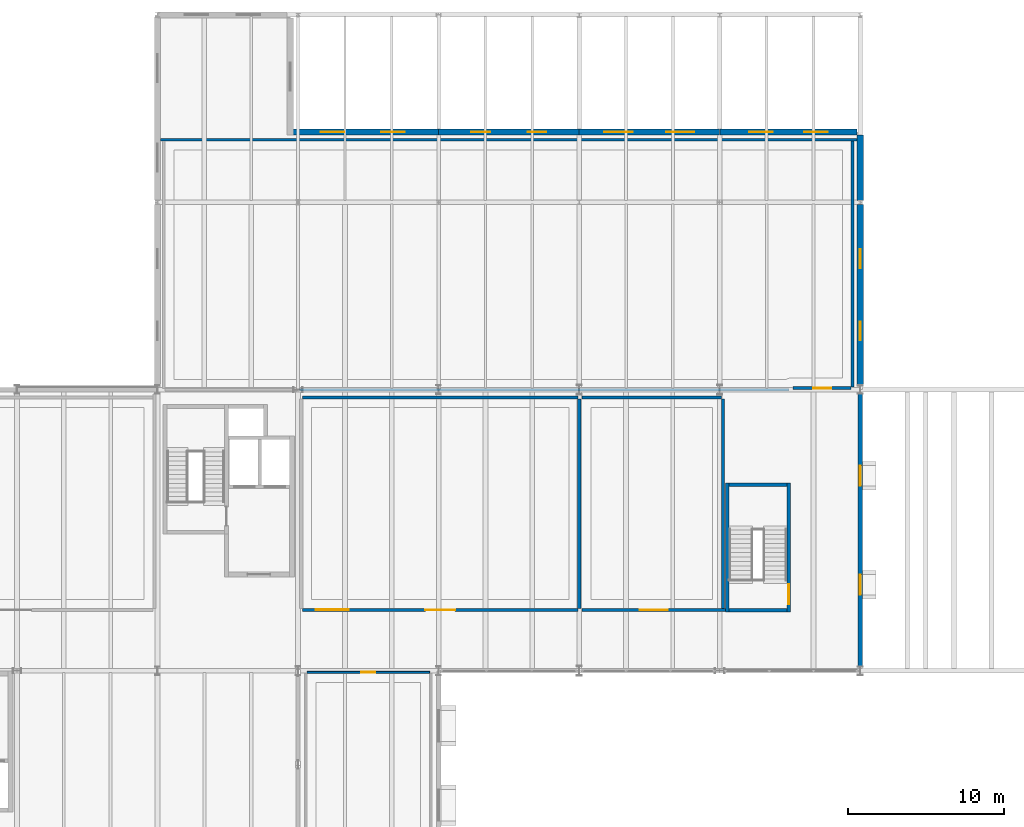
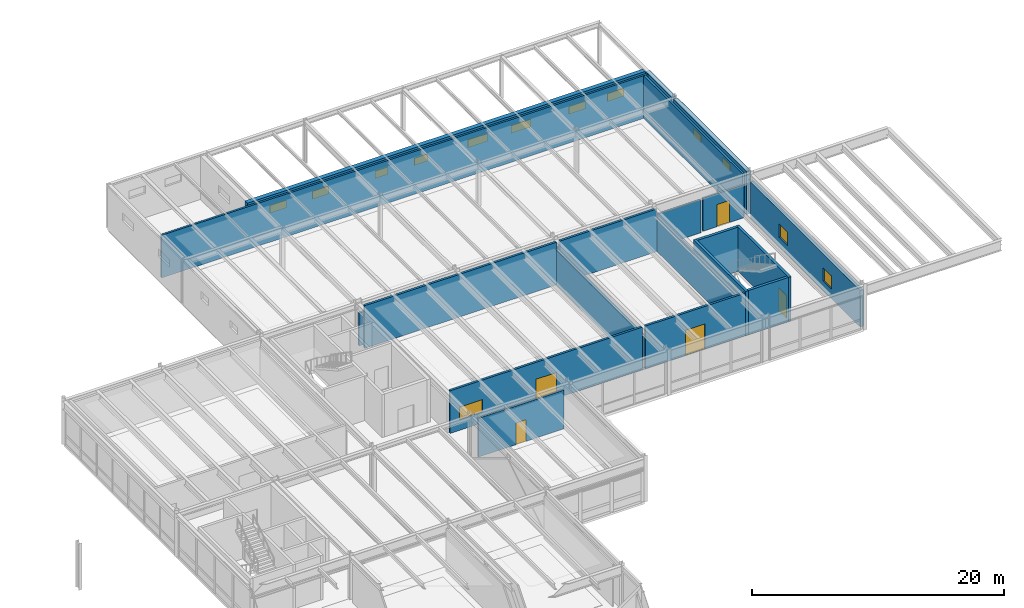
# One storey, part 117 of 127: 22 walls, 13 windows, 5 doors, 18 openings.
"""IFC4 building model written with IfcOpenShell, lengths in metres."""

from ifc_helpers import new_model, si_unit, direction, frame, frame_2d, origin, place, context, subcontext, project, spatial, rectangle, extrude, material, layer, layer_set, type_object, element, fill, save


model = new_model("IFC4")

# Units and contexts
model_context = context("Model", 3, precision=1e-05, world=origin(), true_north=direction((0.0, 1.0)))
body_context = subcontext(model_context, "Body", "Model", "MODEL_VIEW")
ifc_project = project(units=[si_unit("LENGTHUNIT", "METRE"), si_unit("AREAUNIT", "SQUARE_METRE"), si_unit("VOLUMEUNIT", "CUBIC_METRE"), si_unit("PLANEANGLEUNIT", "RADIAN"), si_unit("MASSUNIT", "GRAM", prefix="KILO")], contexts=[model_context])

# Site, building, storey
site_placement = place(None, origin())
site = spatial("IfcSite", under=ifc_project, at=site_placement, CompositionType="ELEMENT")
building_placement = place(site_placement, origin())
building = spatial("IfcBuilding", under=site, at=building_placement, Name="Montelvaro Courts of Justice", CompositionType="ELEMENT")
storey_placement = place(building_placement, frame((0.0, 0.0, 5.39990234375)))
storey = spatial("IfcBuildingStorey", under=building, at=storey_placement, Name="L01", CompositionType="ELEMENT", Elevation=5.39990234375)

# Walls
ifc_material_1 = material(Name="Fire-rated gypsum and steel stud", Category="steel")
ifc_layer_1 = layer(ifc_material_1, 0.179931640625)
ifc_layer_set_1 = layer_set([ifc_layer_1], Name="Fire-rated gypsum and steel stud")
wall_type_1 = type_object("IfcWallType", Name="CorridorFireWall_180", PredefinedType="PARTITIONING", material=ifc_layer_set_1)
wall_1_placement = place(storey_placement, frame((157.419921875, 96.0, 0.0), z_axis=(0.0, 0.0, 1.0), x_axis=(-1.0, 0.0, 0.0)))
element("IfcWall", 1, at=wall_1_placement, inside=storey, type_object=wall_type_1, Name="Interior Partition IW-02 (L01)", PredefinedType="PARTITIONING", context=body_context, shape_type="SweptSolid", body=[
    extrude(rectangle(XDim=31.33984375, YDim=0.179931640625, at=frame_2d((15.669921875, 0.0))), origin(), (0.0, 0.0, 1.0), 3.18701171875),
])
wall_2_placement = place(storey_placement, frame((117.195068359375, 112.0, 0.0), z_axis=(0.0, 0.0, 1.0), x_axis=(1.0, 0.0, 0.0)))
element("IfcWall", 2, at=wall_2_placement, inside=storey, type_object=wall_type_1, Name="Interior Partition IW-02 (L01)", PredefinedType="PARTITIONING", context=body_context, shape_type="SweptSolid", body=[
    extrude(rectangle(XDim=44.60986328125, YDim=0.179931640625, at=frame_2d((22.304931640625, 0.0))), origin(), (0.0, 0.0, 1.0), 4.14013671875),
])
wall_3_placement = place(storey_placement, frame((161.5, 111.919921875, 0.0), z_axis=(0.0, 0.0, 1.0), x_axis=(0.0, -1.0, 0.0)))
element("IfcWall", 3, at=wall_3_placement, inside=storey, type_object=wall_type_1, Name="Interior Partition IW-02 (L01)", PredefinedType="PARTITIONING", context=body_context, shape_type="SweptSolid", body=[
    extrude(rectangle(XDim=15.739990234375, YDim=0.179931640625, at=frame_2d((7.8701171875, 0.0))), origin(), (0.0, 0.0, 1.0), 4.14013671875),
])

# Wall, opening, door
wall_4_placement = place(storey_placement, frame((161.419921875, 96.10009765625, 0.0), z_axis=(0.0, 0.0, 1.0), x_axis=(-1.0, 0.0, 0.0)))
wall_4 = element("IfcWall", 4, at=wall_4_placement, inside=storey, type_object=wall_type_1, Name="Interior Partition IW-02 (L01)", PredefinedType="PARTITIONING", context=body_context, shape_type="SweptSolid", body=[
    extrude(rectangle(XDim=3.739990234375, YDim=0.179931640625, at=frame_2d((1.8701171875, 0.0))), origin(), (0.0, 0.0, 1.0), 3.18701171875),
])
opening_1_placement = place(wall_4_placement, frame((1.294921875, 0.0, 0.0)))
opening_1 = element("IfcOpeningElement", 5, at=opening_1_placement, cuts=wall_4, Name="Opening D-L01-082", PredefinedType="OPENING", context=body_context, shape_type="SweptSolid", body=[
    extrude(rectangle(XDim=1.14990234375, YDim=2.14990234375, at=frame_2d((0.574951171875, 1.074951171875))), frame((0.0, 0.10498046875, 0.0), z_axis=(0.0, -1.0, 0.0), x_axis=(1.0, 0.0, 0.0)), (0.0, 0.0, 1.0), 0.209716796875),
])
ifc_material_2 = material(Name="Galvanised steel S355 security door", Category="steel")
door_type_1 = type_object("IfcDoorType", Name="CustodyDoor_115x215", OperationType="NOTDEFINED", PredefinedType="DOOR", material=ifc_material_2)
door_1_placement = place(opening_1_placement, origin())
door_1 = element("IfcDoor", 6, at=door_1_placement, inside=storey, type_object=door_type_1, Name="Interior Door D-L01-082 (Upper Custody Interview and Holding Suite)", OperationType="SINGLE_SWING_LEFT", OverallHeight=2.14990234375, OverallWidth=1.14990234375, PredefinedType="DOOR", context=body_context, shape_type="SweptSolid", body=[
    extrude(rectangle(XDim=1.14990234375, YDim=2.14990234375, at=frame_2d((0.574951171875, 1.074951171875))), frame((0.0, 0.02490234375, 0.0), z_axis=(0.0, -1.0, 0.0), x_axis=(1.0, 0.0, 0.0)), (0.0, 0.0, 1.0), 0.050048828125),
])
fill(opening_1, door_1)

# Wall, openings, door, window
ifc_material_3 = material(Name="Gypsum acoustic double stud with mineral wool")
ifc_layer_2 = layer(ifc_material_3, 0.199951171875)
ifc_layer_set_2 = layer_set([ifc_layer_2], Name="Gypsum acoustic double stud with mineral wool")
wall_type_2 = type_object("IfcWallType", Name="CourtAcousticWall_200", PredefinedType="PARTITIONING", material=ifc_layer_set_2)
wall_5_placement = place(storey_placement, frame((143.919921875, 81.89990234375, 0.0), z_axis=(0.0, 0.0, 1.0), x_axis=(-1.0, 0.0, 0.0)))
wall_5 = element("IfcWall", 7, at=wall_5_placement, inside=storey, type_object=wall_type_2, Name="Interior Partition IW-01 (L01)", PredefinedType="PARTITIONING", context=body_context, shape_type="SweptSolid", body=[
    extrude(rectangle(XDim=17.639892578125, YDim=0.199951171875, at=frame_2d((8.81982421875, 0.0))), origin(), (0.0, 0.0, 1.0), 4.14013671875),
])
opening_2_placement = place(wall_5_placement, frame((7.8701171875, 0.0, 0.0)))
opening_2 = element("IfcOpeningElement", 8, at=opening_2_placement, cuts=wall_5, Name="Opening D-L01-061", PredefinedType="OPENING", context=body_context, shape_type="SweptSolid", body=[
    extrude(rectangle(XDim=1.89990234375, YDim=2.5, at=frame_2d((0.949951171875, 1.25))), frame((0.0, 0.11474609375, 0.0), z_axis=(0.0, -1.0, 0.0), x_axis=(1.0, 0.0, 0.0)), (0.0, 0.0, 1.0), 0.229736328125),
])
opening_3_placement = place(wall_5_placement, frame((14.68994140625, 0.0, 1.050048828125)))
opening_3 = element("IfcOpeningElement", 9, at=opening_3_placement, cuts=wall_5, Name="Opening WI-04", PredefinedType="OPENING", context=body_context, shape_type="SweptSolid", body=[
    extrude(rectangle(XDim=2.10009765625, YDim=1.199951171875, at=frame_2d((1.050048828125, 0.60009765625))), frame((0.0, 0.11474609375, 0.0), z_axis=(0.0, -1.0, 0.0), x_axis=(1.0, 0.0, 0.0)), (0.0, 0.0, 1.0), 0.229736328125),
])
ifc_material_4 = material(Name="Acoustic oak timber veneer", Category="wood")
door_type_2 = type_object("IfcDoorType", Name="CourtDoor_190x250", OperationType="DOUBLE_DOOR_SINGLE_SWING", PredefinedType="DOOR", material=ifc_material_4)
door_2_placement = place(opening_2_placement, frame((1.89990234375, 0.0, 0.0), z_axis=(0.0, 0.0, 1.0), x_axis=(-1.0, 0.0, 0.0)))
door_2 = element("IfcDoor", 10, at=door_2_placement, inside=storey, type_object=door_type_2, Name="Interior Door D-L01-061 (Penal Courtroom 05)", OperationType="DOUBLE_DOOR_SINGLE_SWING", OverallHeight=2.5, OverallWidth=1.89990234375, PredefinedType="DOOR", context=body_context, shape_type="SweptSolid", body=[
    extrude(rectangle(XDim=1.89990234375, YDim=2.5, at=frame_2d((0.949951171875, 1.25))), frame((0.0, 0.02490234375, 0.0), z_axis=(0.0, -1.0, 0.0), x_axis=(1.0, 0.0, 0.0)), (0.0, 0.0, 1.0), 0.050048828125),
])
fill(opening_2, door_2)
ifc_material_5 = material(Name="Acoustic laminated double glazing", Category="glass")
window_type_1 = type_object("IfcWindowType", Name="IntVision_210x120", PartitioningType="SINGLE_PANEL", PredefinedType="WINDOW", material=ifc_material_5)
window_1_placement = place(opening_3_placement, origin())
window_1 = element("IfcWindow", 11, at=window_1_placement, inside=storey, type_object=window_type_1, Name="Interior Vision Panel WI-032", OverallHeight=1.199951171875, OverallWidth=2.10009765625, PartitioningType="SINGLE_PANEL", PredefinedType="WINDOW", context=body_context, shape_type="SweptSolid", body=[
    extrude(rectangle(XDim=2.10009765625, YDim=1.199951171875, at=frame_2d((1.050048828125, 0.60009765625))), frame((0.0, 0.030029296875, 0.0), z_axis=(0.0, -1.0, 0.0), x_axis=(1.0, 0.0, 0.0)), (0.0, 0.0, 1.0), 0.06005859375),
])
fill(opening_3, window_1)

# Walls
wall_6_placement = place(storey_placement, frame((126.280029296875, 95.5, 0.0), z_axis=(0.0, 0.0, 1.0), x_axis=(1.0, 0.0, 0.0)))
element("IfcWall", 12, at=wall_6_placement, inside=storey, type_object=wall_type_2, Name="Interior Partition IW-01 (L01)", PredefinedType="PARTITIONING", context=body_context, shape_type="SweptSolid", body=[
    extrude(rectangle(XDim=17.639892578125, YDim=0.199951171875, at=frame_2d((8.81982421875, 0.0))), origin(), (0.0, 0.0, 1.0), 4.14013671875),
])
wall_7_placement = place(storey_placement, frame((144.0, 95.419921875, 0.0), z_axis=(0.0, 0.0, 1.0), x_axis=(0.0, -1.0, 0.0)))
element("IfcWall", 13, at=wall_7_placement, inside=storey, type_object=wall_type_2, Name="Interior Partition IW-01 (L01)", PredefinedType="PARTITIONING", context=body_context, shape_type="SweptSolid", body=[
    extrude(rectangle(XDim=13.43994140625, YDim=0.199951171875, at=frame_2d((6.719970703125, 0.0))), origin(), (0.0, 0.0, 1.0), 3.405029296875),
])
wall_8_placement = place(storey_placement, frame((144.179931640625, 95.5, 0.0), z_axis=(0.0, 0.0, 1.0), x_axis=(1.0, 0.0, 0.0)))
element("IfcWall", 14, at=wall_8_placement, inside=storey, type_object=wall_type_2, Name="Interior Partition IW-01 (L01)", PredefinedType="PARTITIONING", context=body_context, shape_type="SweptSolid", body=[
    extrude(rectangle(XDim=8.940185546875, YDim=0.199951171875, at=frame_2d((4.47021484375, 0.0))), origin(), (0.0, 0.0, 1.0), 4.14013671875),
])
wall_9_placement = place(storey_placement, frame((153.199951171875, 95.419921875, 0.0), z_axis=(0.0, 0.0, 1.0), x_axis=(0.0, -1.0, 0.0)))
element("IfcWall", 15, at=wall_9_placement, inside=storey, type_object=wall_type_2, Name="Interior Partition IW-01 (L01)", PredefinedType="PARTITIONING", context=body_context, shape_type="SweptSolid", body=[
    extrude(rectangle(XDim=13.43994140625, YDim=0.199951171875, at=frame_2d((6.719970703125, 0.0))), origin(), (0.0, 0.0, 1.0), 3.39501953125),
])

# Wall, opening, door
wall_10_placement = place(storey_placement, frame((153.364990234375, 81.89990234375, 0.0), z_axis=(0.0, 0.0, 1.0), x_axis=(-1.0, 0.0, 0.0)))
wall_10 = element("IfcWall", 16, at=wall_10_placement, inside=storey, type_object=wall_type_2, Name="Interior Partition IW-01 (L01)", PredefinedType="PARTITIONING", context=body_context, shape_type="SweptSolid", body=[
    extrude(rectangle(XDim=9.18505859375, YDim=0.199951171875, at=frame_2d((4.592529296875, 0.0))), origin(), (0.0, 0.0, 1.0), 4.14013671875),
])
opening_4_placement = place(wall_10_placement, frame((3.693115234375, 0.0, 0.0)))
opening_4 = element("IfcOpeningElement", 17, at=opening_4_placement, cuts=wall_10, Name="Opening D-L01-062", PredefinedType="OPENING", context=body_context, shape_type="SweptSolid", body=[
    extrude(rectangle(XDim=1.800048828125, YDim=2.449951171875, at=frame_2d((0.89990234375, 1.22509765625))), frame((0.0, 0.11474609375, 0.0), z_axis=(0.0, -1.0, 0.0), x_axis=(1.0, 0.0, 0.0)), (0.0, 0.0, 1.0), 0.229736328125),
])
door_type_3 = type_object("IfcDoorType", Name="CourtDoor_180x245", OperationType="DOUBLE_DOOR_SINGLE_SWING", PredefinedType="DOOR", material=ifc_material_4)
door_3_placement = place(opening_4_placement, origin())
door_3 = element("IfcDoor", 18, at=door_3_placement, inside=storey, type_object=door_type_3, Name="Interior Door D-L01-062 (Penal Courtroom 06)", OperationType="DOUBLE_DOOR_SINGLE_SWING", OverallHeight=2.449951171875, OverallWidth=1.800048828125, PredefinedType="DOOR", context=body_context, shape_type="SweptSolid", body=[
    extrude(rectangle(XDim=1.800048828125, YDim=2.449951171875, at=frame_2d((0.89990234375, 1.22509765625))), frame((0.0, 0.02490234375, 0.0), z_axis=(0.0, -1.0, 0.0), x_axis=(1.0, 0.0, 0.0)), (0.0, 0.0, 1.0), 0.050048828125),
])
fill(opening_4, door_3)

# Wall, openings, windows
ifc_material_6 = material(Name="Concrete C40/50", Category="concrete")
ifc_layer_3 = layer(ifc_material_6, 0.39990234375)
ifc_layer_set_3 = layer_set([ifc_layer_3], Name="Concrete C40/50")
wall_type_3 = type_object("IfcWallType", Name="ExtWall_Custody_400", PredefinedType="SOLIDWALL", material=ifc_layer_set_3)
wall_11_placement = place(storey_placement, frame((162.0, 96.27294921875, 0.0), z_axis=(0.0, 0.0, 1.0), x_axis=(0.0, 1.0, 0.0)))
wall_11 = element("IfcWall", 19, at=wall_11_placement, inside=storey, type_object=wall_type_3, Name="Exterior Facade Wall EW-04 (L01)", PredefinedType="SOLIDWALL", context=body_context, shape_type="SweptSolid", body=[
    extrude(rectangle(XDim=11.59912109375, YDim=0.39990234375, at=frame_2d((5.799560546875, 0.0))), origin(), (0.0, 0.0, 1.0), 4.18017578125),
])
opening_5_placement = place(wall_11_placement, frame((2.8798828125, 0.0, 2.35009765625)))
opening_5 = element("IfcOpeningElement", 20, at=opening_5_placement, cuts=wall_11, Name="Opening WE-30", PredefinedType="OPENING", context=body_context, shape_type="SweptSolid", body=[
    extrude(rectangle(XDim=1.199951171875, YDim=0.699951171875, at=frame_2d((0.60009765625, 0.35009765625))), frame((0.0, 0.21484375, 0.0), z_axis=(0.0, -1.0, 0.0), x_axis=(1.0, 0.0, 0.0)), (0.0, 0.0, 1.0), 0.4296875),
])
opening_6_placement = place(wall_11_placement, frame((7.51904296875, 0.0, 2.35009765625)))
opening_6 = element("IfcOpeningElement", 21, at=opening_6_placement, cuts=wall_11, Name="Opening WE-30", PredefinedType="OPENING", context=body_context, shape_type="SweptSolid", body=[
    extrude(rectangle(XDim=1.199951171875, YDim=0.699951171875, at=frame_2d((0.60009765625, 0.35009765625))), frame((0.0, 0.21484375, 0.0), z_axis=(0.0, -1.0, 0.0), x_axis=(1.0, 0.0, 0.0)), (0.0, 0.0, 1.0), 0.4296875),
])
ifc_material_7 = material(Name="Low-E solar control double glazing", Category="glass")
window_type_2 = type_object("IfcWindowType", Name="Win_Slot_120x070", PartitioningType="SINGLE_PANEL", PredefinedType="WINDOW", material=ifc_material_7)
window_2_placement = place(opening_5_placement, origin())
window_2 = element("IfcWindow", 22, at=window_2_placement, inside=storey, type_object=window_type_2, Name="Window W-L01-078", OverallHeight=0.699951171875, OverallWidth=1.199951171875, PartitioningType="SINGLE_PANEL", PredefinedType="WINDOW", context=body_context, shape_type="SweptSolid", body=[
    extrude(rectangle(XDim=1.199951171875, YDim=0.699951171875, at=frame_2d((0.60009765625, 0.35009765625))), frame((0.0, 0.030029296875, 0.0), z_axis=(0.0, -1.0, 0.0), x_axis=(1.0, 0.0, 0.0)), (0.0, 0.0, 1.0), 0.06005859375),
])
fill(opening_5, window_2)
window_3_placement = place(opening_6_placement, origin())
window_3 = element("IfcWindow", 23, at=window_3_placement, inside=storey, type_object=window_type_2, Name="Window W-L01-079", OverallHeight=0.699951171875, OverallWidth=1.199951171875, PartitioningType="SINGLE_PANEL", PredefinedType="WINDOW", context=body_context, shape_type="SweptSolid", body=[
    extrude(rectangle(XDim=1.199951171875, YDim=0.699951171875, at=frame_2d((0.60009765625, 0.35009765625))), frame((0.0, 0.030029296875, 0.0), z_axis=(0.0, -1.0, 0.0), x_axis=(1.0, 0.0, 0.0)), (0.0, 0.0, 1.0), 0.06005859375),
])
fill(opening_6, window_3)

# Wall
wall_12_placement = place(storey_placement, frame((162.0, 108.1279296875, 0.0), z_axis=(0.0, 0.0, 1.0), x_axis=(0.0, 1.0, 0.0)))
element("IfcWall", 24, at=wall_12_placement, inside=storey, type_object=wall_type_3, Name="Exterior Facade Wall EW-04 (L01)", PredefinedType="SOLIDWALL", context=body_context, shape_type="SweptSolid", body=[
    extrude(rectangle(XDim=4.172119140625, YDim=0.39990234375, at=frame_2d((2.0859375, 0.0))), origin(), (0.0, 0.0, 1.0), 4.18017578125),
])

# Wall, openings, windows
wall_13_placement = place(storey_placement, frame((161.800048828125, 112.5, 0.0), z_axis=(0.0, 0.0, 1.0), x_axis=(-1.0, 0.0, 0.0)))
wall_13 = element("IfcWall", 25, at=wall_13_placement, inside=storey, type_object=wall_type_3, Name="Exterior Facade Wall EW-04 (L01)", PredefinedType="SOLIDWALL", context=body_context, shape_type="SweptSolid", body=[
    extrude(rectangle(XDim=8.800048828125, YDim=0.39990234375, at=frame_2d((4.39990234375, 0.0))), origin(), (0.0, 0.0, 1.0), 4.18017578125),
])
opening_7_placement = place(wall_13_placement, frame((1.889892578125, 0.0, 2.35009765625)))
opening_7 = element("IfcOpeningElement", 26, at=opening_7_placement, cuts=wall_13, Name="Opening WE-29", PredefinedType="OPENING", context=body_context, shape_type="SweptSolid", body=[
    extrude(rectangle(XDim=1.5, YDim=0.75, at=frame_2d((0.75, 0.375))), frame((0.0, 0.21484375, 0.0), z_axis=(0.0, -1.0, 0.0), x_axis=(1.0, 0.0, 0.0)), (0.0, 0.0, 1.0), 0.4296875),
])
opening_8_placement = place(wall_13_placement, frame((5.409912109375, 0.0, 2.35009765625)))
opening_8 = element("IfcOpeningElement", 27, at=opening_8_placement, cuts=wall_13, Name="Opening WE-29", PredefinedType="OPENING", context=body_context, shape_type="SweptSolid", body=[
    extrude(rectangle(XDim=1.5, YDim=0.75, at=frame_2d((0.75, 0.375))), frame((0.0, 0.21484375, 0.0), z_axis=(0.0, -1.0, 0.0), x_axis=(1.0, 0.0, 0.0)), (0.0, 0.0, 1.0), 0.4296875),
])
window_type_3 = type_object("IfcWindowType", Name="Win_Slot_150x075", PartitioningType="SINGLE_PANEL", PredefinedType="WINDOW", material=ifc_material_7)
window_4_placement = place(opening_7_placement, origin())
window_4 = element("IfcWindow", 28, at=window_4_placement, inside=storey, type_object=window_type_3, Name="Window W-L01-080", OverallHeight=0.75, OverallWidth=1.5, PartitioningType="SINGLE_PANEL", PredefinedType="WINDOW", context=body_context, shape_type="SweptSolid", body=[
    extrude(rectangle(XDim=1.5, YDim=0.75, at=frame_2d((0.75, 0.375))), frame((0.0, 0.030029296875, 0.0), z_axis=(0.0, -1.0, 0.0), x_axis=(1.0, 0.0, 0.0)), (0.0, 0.0, 1.0), 0.06005859375),
])
fill(opening_7, window_4)
window_5_placement = place(opening_8_placement, origin())
window_5 = element("IfcWindow", 29, at=window_5_placement, inside=storey, type_object=window_type_3, Name="Window W-L01-081", OverallHeight=0.75, OverallWidth=1.5, PartitioningType="SINGLE_PANEL", PredefinedType="WINDOW", context=body_context, shape_type="SweptSolid", body=[
    extrude(rectangle(XDim=1.5, YDim=0.75, at=frame_2d((0.75, 0.375))), frame((0.0, 0.030029296875, 0.0), z_axis=(0.0, -1.0, 0.0), x_axis=(1.0, 0.0, 0.0)), (0.0, 0.0, 1.0), 0.06005859375),
])
fill(opening_8, window_5)

wall_14_placement = place(storey_placement, frame((153.0, 112.5, 0.0), z_axis=(0.0, 0.0, 1.0), x_axis=(-1.0, 0.0, 0.0)))
wall_14 = element("IfcWall", 30, at=wall_14_placement, inside=storey, type_object=wall_type_3, Name="Exterior Facade Wall EW-04 (L01)", PredefinedType="SOLIDWALL", context=body_context, shape_type="SweptSolid", body=[
    extrude(rectangle(XDim=9.0, YDim=0.39990234375, at=frame_2d((4.5, 0.0))), origin(), (0.0, 0.0, 1.0), 4.18017578125),
])
opening_9_placement = place(wall_14_placement, frame((1.6201171875, 0.0, 2.35009765625)))
opening_9 = element("IfcOpeningElement", 31, at=opening_9_placement, cuts=wall_14, Name="Opening WE-28", PredefinedType="OPENING", context=body_context, shape_type="SweptSolid", body=[
    extrude(rectangle(XDim=1.800048828125, YDim=0.75, at=frame_2d((0.89990234375, 0.375))), frame((0.0, 0.21484375, 0.0), z_axis=(0.0, -1.0, 0.0), x_axis=(1.0, 0.0, 0.0)), (0.0, 0.0, 1.0), 0.4296875),
])
opening_10_placement = place(wall_14_placement, frame((5.580078125, 0.0, 2.35009765625)))
opening_10 = element("IfcOpeningElement", 32, at=opening_10_placement, cuts=wall_14, Name="Opening WE-28", PredefinedType="OPENING", context=body_context, shape_type="SweptSolid", body=[
    extrude(rectangle(XDim=1.800048828125, YDim=0.75, at=frame_2d((0.89990234375, 0.375))), frame((0.0, 0.21484375, 0.0), z_axis=(0.0, -1.0, 0.0), x_axis=(1.0, 0.0, 0.0)), (0.0, 0.0, 1.0), 0.4296875),
])
window_type_4 = type_object("IfcWindowType", Name="Win_Slot_180x075", PartitioningType="SINGLE_PANEL", PredefinedType="WINDOW", material=ifc_material_7)
window_6_placement = place(opening_9_placement, origin())
window_6 = element("IfcWindow", 33, at=window_6_placement, inside=storey, type_object=window_type_4, Name="Window W-L01-082", OverallHeight=0.75, OverallWidth=1.800048828125, PartitioningType="SINGLE_PANEL", PredefinedType="WINDOW", context=body_context, shape_type="SweptSolid", body=[
    extrude(rectangle(XDim=1.800048828125, YDim=0.75, at=frame_2d((0.89990234375, 0.375))), frame((0.0, 0.030029296875, 0.0), z_axis=(0.0, -1.0, 0.0), x_axis=(1.0, 0.0, 0.0)), (0.0, 0.0, 1.0), 0.06005859375),
])
fill(opening_9, window_6)
window_7_placement = place(opening_10_placement, origin())
window_7 = element("IfcWindow", 34, at=window_7_placement, inside=storey, type_object=window_type_4, Name="Window W-L01-083", OverallHeight=0.75, OverallWidth=1.800048828125, PartitioningType="SINGLE_PANEL", PredefinedType="WINDOW", context=body_context, shape_type="SweptSolid", body=[
    extrude(rectangle(XDim=1.800048828125, YDim=0.75, at=frame_2d((0.89990234375, 0.375))), frame((0.0, 0.030029296875, 0.0), z_axis=(0.0, -1.0, 0.0), x_axis=(1.0, 0.0, 0.0)), (0.0, 0.0, 1.0), 0.06005859375),
])
fill(opening_10, window_7)

wall_15_placement = place(storey_placement, frame((144.0, 112.5, 0.0), z_axis=(0.0, 0.0, 1.0), x_axis=(-1.0, 0.0, 0.0)))
wall_15 = element("IfcWall", 35, at=wall_15_placement, inside=storey, type_object=wall_type_3, Name="Exterior Facade Wall EW-04 (L01)", PredefinedType="SOLIDWALL", context=body_context, shape_type="SweptSolid", body=[
    extrude(rectangle(XDim=9.0, YDim=0.39990234375, at=frame_2d((4.5, 0.0))), origin(), (0.0, 0.0, 1.0), 4.18017578125),
])
opening_11_placement = place(wall_15_placement, frame((2.10009765625, 0.0, 2.35009765625)))
opening_11 = element("IfcOpeningElement", 36, at=opening_11_placement, cuts=wall_15, Name="Opening WE-30", PredefinedType="OPENING", context=body_context, shape_type="SweptSolid", body=[
    extrude(rectangle(XDim=1.199951171875, YDim=0.699951171875, at=frame_2d((0.60009765625, 0.35009765625))), frame((0.0, 0.21484375, 0.0), z_axis=(0.0, -1.0, 0.0), x_axis=(1.0, 0.0, 0.0)), (0.0, 0.0, 1.0), 0.4296875),
])
opening_12_placement = place(wall_15_placement, frame((5.699951171875, 0.0, 2.35009765625)))
opening_12 = element("IfcOpeningElement", 37, at=opening_12_placement, cuts=wall_15, Name="Opening WE-30", PredefinedType="OPENING", context=body_context, shape_type="SweptSolid", body=[
    extrude(rectangle(XDim=1.199951171875, YDim=0.699951171875, at=frame_2d((0.60009765625, 0.35009765625))), frame((0.0, 0.21484375, 0.0), z_axis=(0.0, -1.0, 0.0), x_axis=(1.0, 0.0, 0.0)), (0.0, 0.0, 1.0), 0.4296875),
])
window_8_placement = place(opening_11_placement, origin())
window_8 = element("IfcWindow", 38, at=window_8_placement, inside=storey, type_object=window_type_2, Name="Window W-L01-084", OverallHeight=0.699951171875, OverallWidth=1.199951171875, PartitioningType="SINGLE_PANEL", PredefinedType="WINDOW", context=body_context, shape_type="SweptSolid", body=[
    extrude(rectangle(XDim=1.199951171875, YDim=0.699951171875, at=frame_2d((0.60009765625, 0.35009765625))), frame((0.0, 0.030029296875, 0.0), z_axis=(0.0, -1.0, 0.0), x_axis=(1.0, 0.0, 0.0)), (0.0, 0.0, 1.0), 0.06005859375),
])
fill(opening_11, window_8)
window_9_placement = place(opening_12_placement, origin())
window_9 = element("IfcWindow", 39, at=window_9_placement, inside=storey, type_object=window_type_2, Name="Window W-L01-085", OverallHeight=0.699951171875, OverallWidth=1.199951171875, PartitioningType="SINGLE_PANEL", PredefinedType="WINDOW", context=body_context, shape_type="SweptSolid", body=[
    extrude(rectangle(XDim=1.199951171875, YDim=0.699951171875, at=frame_2d((0.60009765625, 0.35009765625))), frame((0.0, 0.030029296875, 0.0), z_axis=(0.0, -1.0, 0.0), x_axis=(1.0, 0.0, 0.0)), (0.0, 0.0, 1.0), 0.06005859375),
])
fill(opening_12, window_9)

wall_16_placement = place(storey_placement, frame((135.0, 112.5, 0.0), z_axis=(0.0, 0.0, 1.0), x_axis=(-1.0, 0.0, 0.0)))
wall_16 = element("IfcWall", 40, at=wall_16_placement, inside=storey, type_object=wall_type_3, Name="Exterior Facade Wall EW-04 (L01)", PredefinedType="SOLIDWALL", context=body_context, shape_type="SweptSolid", body=[
    extrude(rectangle(XDim=9.699951171875, YDim=0.39990234375, at=frame_2d((4.85009765625, 0.0))), origin(), (0.0, 0.0, 1.0), 4.18017578125),
])
opening_13_placement = place(wall_16_placement, frame((2.159912109375, 0.0, 2.35009765625)))
opening_13 = element("IfcOpeningElement", 41, at=opening_13_placement, cuts=wall_16, Name="Opening WE-29", PredefinedType="OPENING", context=body_context, shape_type="SweptSolid", body=[
    extrude(rectangle(XDim=1.5, YDim=0.75, at=frame_2d((0.75, 0.375))), frame((0.0, 0.21484375, 0.0), z_axis=(0.0, -1.0, 0.0), x_axis=(1.0, 0.0, 0.0)), (0.0, 0.0, 1.0), 0.4296875),
])
opening_14_placement = place(wall_16_placement, frame((6.0400390625, 0.0, 2.35009765625)))
opening_14 = element("IfcOpeningElement", 42, at=opening_14_placement, cuts=wall_16, Name="Opening WE-29", PredefinedType="OPENING", context=body_context, shape_type="SweptSolid", body=[
    extrude(rectangle(XDim=1.5, YDim=0.75, at=frame_2d((0.75, 0.375))), frame((0.0, 0.21484375, 0.0), z_axis=(0.0, -1.0, 0.0), x_axis=(1.0, 0.0, 0.0)), (0.0, 0.0, 1.0), 0.4296875),
])
window_10_placement = place(opening_13_placement, origin())
window_10 = element("IfcWindow", 43, at=window_10_placement, inside=storey, type_object=window_type_3, Name="Window W-L01-086", OverallHeight=0.75, OverallWidth=1.5, PartitioningType="SINGLE_PANEL", PredefinedType="WINDOW", context=body_context, shape_type="SweptSolid", body=[
    extrude(rectangle(XDim=1.5, YDim=0.75, at=frame_2d((0.75, 0.375))), frame((0.0, 0.030029296875, 0.0), z_axis=(0.0, -1.0, 0.0), x_axis=(1.0, 0.0, 0.0)), (0.0, 0.0, 1.0), 0.06005859375),
])
fill(opening_13, window_10)
window_11_placement = place(opening_14_placement, origin())
window_11 = element("IfcWindow", 44, at=window_11_placement, inside=storey, type_object=window_type_3, Name="Window W-L01-087", OverallHeight=0.75, OverallWidth=1.5, PartitioningType="SINGLE_PANEL", PredefinedType="WINDOW", context=body_context, shape_type="SweptSolid", body=[
    extrude(rectangle(XDim=1.5, YDim=0.75, at=frame_2d((0.75, 0.375))), frame((0.0, 0.030029296875, 0.0), z_axis=(0.0, -1.0, 0.0), x_axis=(1.0, 0.0, 0.0)), (0.0, 0.0, 1.0), 0.06005859375),
])
fill(opening_14, window_11)

ifc_material_8 = material(Name="White mineral precast concrete C45/55", Category="concrete")
ifc_layer_4 = layer(ifc_material_8, 0.300048828125)
ifc_layer_set_4 = layer_set([ifc_layer_4], Name="White mineral precast concrete C45/55")
wall_type_4 = type_object("IfcWallType", Name="ExtWall_GFRC_300", PredefinedType="SOLIDWALL", material=ifc_layer_set_4)
wall_17_placement = place(storey_placement, frame((162.0, 78.27294921875, 0.0), z_axis=(0.0, 0.0, 1.0), x_axis=(0.0, 1.0, 0.0)))
wall_17 = element("IfcWall", 45, at=wall_17_placement, inside=storey, type_object=wall_type_4, Name="Exterior Facade Wall EW-02 (L01)", PredefinedType="SOLIDWALL", context=body_context, shape_type="SweptSolid", body=[
    extrude(rectangle(XDim=17.4541015625, YDim=0.300048828125, at=frame_2d((8.72705078125, 0.0))), origin(), (0.0, 0.0, 1.0), 3.545166015625),
])
opening_15_placement = place(wall_17_placement, frame((4.5859375, 0.0, 0.89990234375)))
opening_15 = element("IfcOpeningElement", 46, at=opening_15_placement, cuts=wall_17, Name="Opening WE-18", PredefinedType="OPENING", context=body_context, shape_type="SweptSolid", body=[
    extrude(rectangle(XDim=1.300048828125, YDim=1.300048828125, at=frame_2d((0.64990234375, 0.64990234375))), frame((0.0, 0.1650390625, 0.0), z_axis=(0.0, -1.0, 0.0), x_axis=(1.0, 0.0, 0.0)), (0.0, 0.0, 1.0), 0.329833984375),
])
opening_16_placement = place(wall_17_placement, frame((11.568115234375, 0.0, 0.89990234375)))
opening_16 = element("IfcOpeningElement", 47, at=opening_16_placement, cuts=wall_17, Name="Opening WE-18", PredefinedType="OPENING", context=body_context, shape_type="SweptSolid", body=[
    extrude(rectangle(XDim=1.300048828125, YDim=1.300048828125, at=frame_2d((0.64990234375, 0.64990234375))), frame((0.0, 0.1650390625, 0.0), z_axis=(0.0, -1.0, 0.0), x_axis=(1.0, 0.0, 0.0)), (0.0, 0.0, 1.0), 0.329833984375),
])
window_type_5 = type_object("IfcWindowType", Name="Win_Sq_130x130", PartitioningType="SINGLE_PANEL", PredefinedType="WINDOW", material=ifc_material_7)
window_12_placement = place(opening_15_placement, origin())
window_12 = element("IfcWindow", 48, at=window_12_placement, inside=storey, type_object=window_type_5, Name="Window W-L01-042", OverallHeight=1.300048828125, OverallWidth=1.300048828125, PartitioningType="SINGLE_PANEL", PredefinedType="WINDOW", context=body_context, shape_type="SweptSolid", body=[
    extrude(rectangle(XDim=1.300048828125, YDim=1.300048828125, at=frame_2d((0.64990234375, 0.64990234375))), frame((0.0, 0.030029296875, 0.0), z_axis=(0.0, -1.0, 0.0), x_axis=(1.0, 0.0, 0.0)), (0.0, 0.0, 1.0), 0.06005859375),
])
fill(opening_15, window_12)
window_13_placement = place(opening_16_placement, origin())
window_13 = element("IfcWindow", 49, at=window_13_placement, inside=storey, type_object=window_type_5, Name="Window W-L01-043", OverallHeight=1.300048828125, OverallWidth=1.300048828125, PartitioningType="SINGLE_PANEL", PredefinedType="WINDOW", context=body_context, shape_type="SweptSolid", body=[
    extrude(rectangle(XDim=1.300048828125, YDim=1.300048828125, at=frame_2d((0.64990234375, 0.64990234375))), frame((0.0, 0.030029296875, 0.0), z_axis=(0.0, -1.0, 0.0), x_axis=(1.0, 0.0, 0.0)), (0.0, 0.0, 1.0), 0.06005859375),
])
fill(opening_16, window_13)

# Wall, opening, door
ifc_material_9 = material(Name="Gypsum board on metal stud")
ifc_layer_5 = layer(ifc_material_9, 0.1201171875)
ifc_layer_set_5 = layer_set([ifc_layer_5], Name="Gypsum board on metal stud")
wall_type_5 = type_object("IfcWallType", Name="OfficePartition_120", PredefinedType="PARTITIONING", material=ifc_layer_set_5)
wall_18_placement = place(storey_placement, frame((126.580078125, 77.89990234375, 0.0), z_axis=(0.0, 0.0, 1.0), x_axis=(1.0, 0.0, 0.0)))
wall_18 = element("IfcWall", 50, at=wall_18_placement, inside=storey, type_object=wall_type_5, Name="Interior Partition IW-05 (L01)", PredefinedType="PARTITIONING", context=body_context, shape_type="SweptSolid", body=[
    extrude(rectangle(XDim=7.83984375, YDim=0.1201171875, at=frame_2d((3.919921875, 0.0))), origin(), (0.0, 0.0, 1.0), 3.755126953125),
])
opening_17_placement = place(wall_18_placement, frame((3.469970703125, 0.0, 0.0)))
opening_17 = element("IfcOpeningElement", 51, at=opening_17_placement, cuts=wall_18, Name="Opening D-L01-063", PredefinedType="OPENING", context=body_context, shape_type="SweptSolid", body=[
    extrude(rectangle(XDim=0.89990234375, YDim=2.10009765625, at=frame_2d((0.449951171875, 1.050048828125))), frame((0.0, 0.074951171875, 0.0), z_axis=(0.0, -1.0, 0.0), x_axis=(1.0, 0.0, 0.0)), (0.0, 0.0, 1.0), 0.14990234375),
])
door_type_4 = type_object("IfcDoorType", Name="OfficeDoor_090x210", OperationType="NOTDEFINED", PredefinedType="DOOR", material=ifc_material_4)
door_4_placement = place(opening_17_placement, frame((0.89990234375, 0.0, 0.0), z_axis=(0.0, 0.0, 1.0), x_axis=(-1.0, 0.0, 0.0)))
door_4 = element("IfcDoor", 52, at=door_4_placement, inside=storey, type_object=door_type_4, Name="Interior Door D-L01-063 (Penal Witness Waiting Room L01)", OperationType="SINGLE_SWING_RIGHT", OverallHeight=2.10009765625, OverallWidth=0.89990234375, PredefinedType="DOOR", context=body_context, shape_type="SweptSolid", body=[
    extrude(rectangle(XDim=0.89990234375, YDim=2.10009765625, at=frame_2d((0.449951171875, 1.050048828125))), frame((0.0, 0.02490234375, 0.0), z_axis=(0.0, -1.0, 0.0), x_axis=(1.0, 0.0, 0.0)), (0.0, 0.0, 1.0), 0.050048828125),
])
fill(opening_17, door_4)

# Wall
ifc_material_10 = material(Name="Concrete C35/45", Category="concrete")
ifc_layer_6 = layer(ifc_material_10, 0.239990234375)
ifc_layer_set_6 = layer_set([ifc_layer_6], Name="Concrete C35/45")
wall_type_6 = type_object("IfcWallType", Name="ShaftWall_240", PredefinedType="SHEAR", material=ifc_layer_set_6)
wall_19_placement = place(storey_placement, frame((153.47998046875, 81.760009765625, 0.0), z_axis=(0.0, 0.0, 1.0), x_axis=(0.0, 1.0, 0.0)))
element("IfcWall", 53, at=wall_19_placement, inside=storey, type_object=wall_type_6, Name="Protected Stair Structural Wall ST-V2-W (L01)", PredefinedType="SHEAR", context=body_context, shape_type="SweptSolid", body=[
    extrude(rectangle(XDim=8.280029296875, YDim=0.239990234375, at=frame_2d((4.14013671875, 0.0))), origin(), (0.0, 0.0, 1.0), 4.31005859375),
])

# Wall, opening, door
wall_20_placement = place(storey_placement, frame((157.419921875, 81.760009765625, 0.0), z_axis=(0.0, 0.0, 1.0), x_axis=(0.0, 1.0, 0.0)))
wall_20 = element("IfcWall", 54, at=wall_20_placement, inside=storey, type_object=wall_type_6, Name="Protected Stair Structural Wall ST-V2-E (L01)", PredefinedType="SHEAR", context=body_context, shape_type="SweptSolid", body=[
    extrude(rectangle(XDim=8.280029296875, YDim=0.239990234375, at=frame_2d((4.14013671875, 0.0))), origin(), (0.0, 0.0, 1.0), 4.31005859375),
])
opening_18_placement = place(wall_20_placement, frame((0.489990234375, 0.0, 0.0)))
opening_18 = element("IfcOpeningElement", 55, at=opening_18_placement, cuts=wall_20, Name="Opening DS-L01-SV2", PredefinedType="OPENING", context=body_context, shape_type="SweptSolid", body=[
    extrude(rectangle(XDim=1.300048828125, YDim=2.199951171875, at=frame_2d((0.64990234375, 1.10009765625))), frame((0.0, 0.134765625, 0.0), z_axis=(0.0, -1.0, 0.0), x_axis=(1.0, 0.0, 0.0)), (0.0, 0.0, 1.0), 0.269775390625),
])
door_type_5 = type_object("IfcDoorType", Name="StairFireDoor_130x220", OperationType="NOTDEFINED", PredefinedType="DOOR", material=ifc_material_2)
door_5_placement = place(opening_18_placement, frame((1.300048828125, 0.0, 0.0), z_axis=(0.0, 0.0, 1.0), x_axis=(-1.0, 0.0, 0.0)))
door_5 = element("IfcDoor", 56, at=door_5_placement, inside=storey, type_object=door_type_5, Name="Protected Stair Fire Door DS-L01-SV2", OperationType="SINGLE_SWING_RIGHT", OverallHeight=2.199951171875, OverallWidth=1.300048828125, PredefinedType="DOOR", context=body_context, shape_type="SweptSolid", body=[
    extrude(rectangle(XDim=1.300048828125, YDim=2.199951171875, at=frame_2d((0.64990234375, 1.10009765625))), frame((0.0, 0.02490234375, 0.0), z_axis=(0.0, -1.0, 0.0), x_axis=(1.0, 0.0, 0.0)), (0.0, 0.0, 1.0), 0.050048828125),
])
fill(opening_18, door_5)

# Walls
for number, where, z_axis, x_axis, name in (
    (57, (153.60009765625, 81.8798828125, 0.0), (0.0, 0.0, 1.0), (1.0, 0.0, 0.0), "Protected Stair Structural Wall ST-V2-S (L01)"),
    (58, (153.60009765625, 89.919921875, 0.0), (0.0, 0.0, 1.0), (1.0, 0.0, 0.0), "Protected Stair Structural Wall ST-V2-N (L01)"),
):
    element("IfcWall", number, at=place(storey_placement, frame(where, z_axis=z_axis, x_axis=x_axis)), inside=storey, type_object=wall_type_6, Name=name, PredefinedType="SHEAR", context=body_context, shape_type="SweptSolid", body=[
        extrude(rectangle(XDim=3.699951171875, YDim=0.239990234375, at=frame_2d((1.85009765625, 0.0))), origin(), (0.0, 0.0, 1.0), 4.31005859375),
    ])

save(model, "model.ifc")
